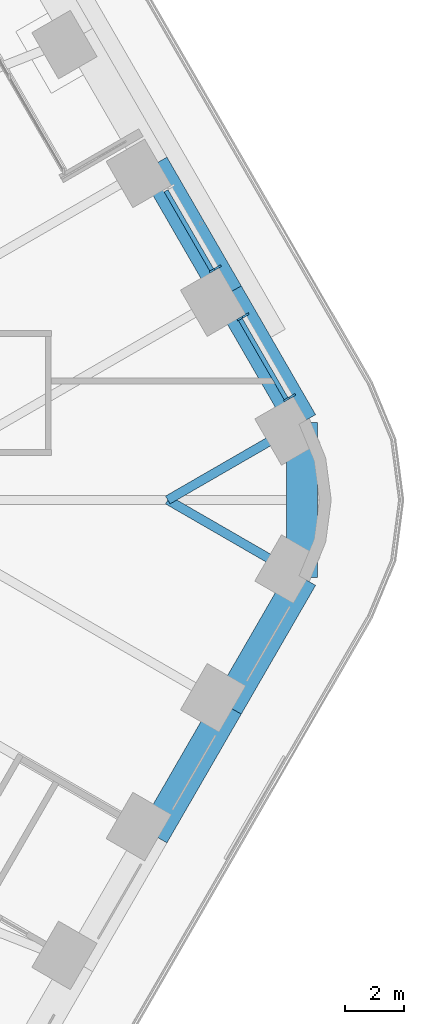
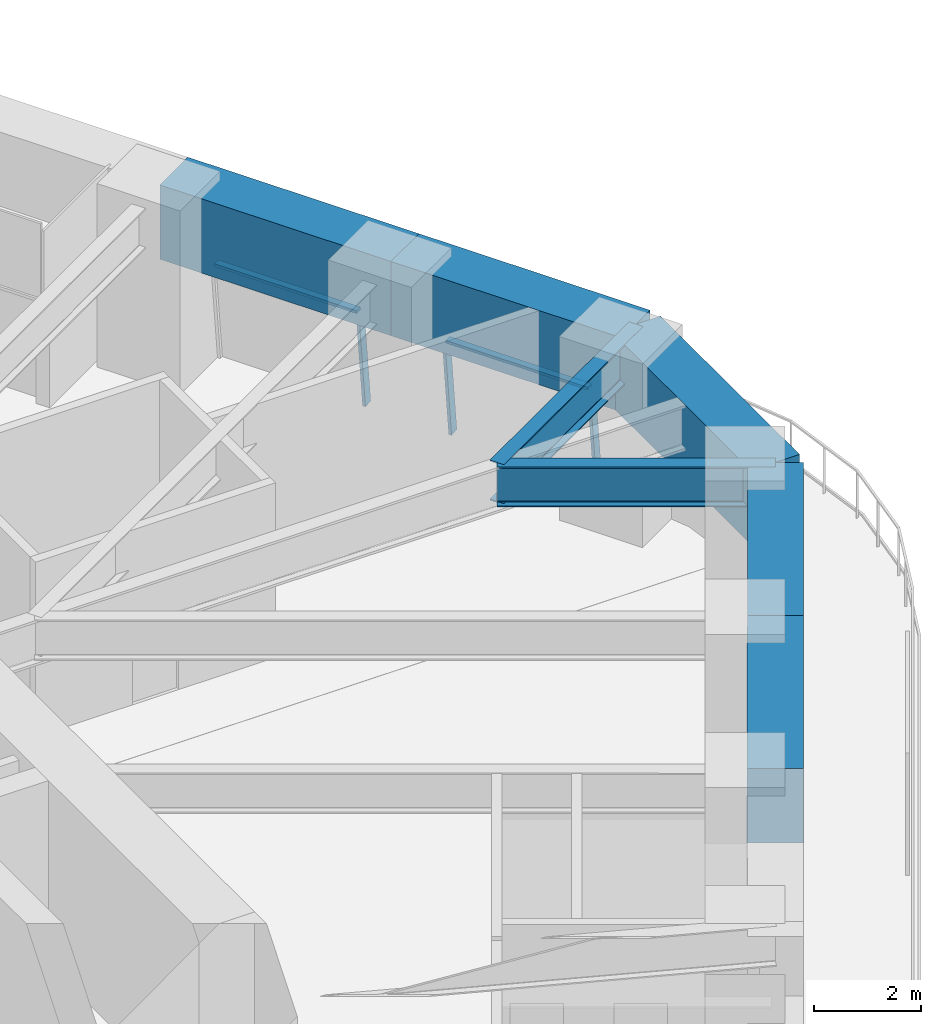
# One storey, part 14 of 24: 7 beams, 5 members, 2 elements without a shape of their own.
"""IFC4 building model written with IfcOpenShell, lengths in metres."""

import ifcopenshell
import ifcopenshell.guid

model = None  # the IFC model being written
_history = None  # IfcOwnerHistory: only IFC2X3 demands one
_inside = {}  # id of a spatial element -> (the spatial element, [elements in it])
_under = {}  # id of a project, library or spatial element -> (it, [spatial elements below it])
_declared = {}  # id of a project -> (the project, [libraries it declares])
_typed = {}  # id of a type object -> (the type object, [elements of that type])
_made_of = {}  # id of a material, layer set ... -> (it, [elements and type objects made of it])


def new_model(schema):
    """Start an empty IFC model of exactly this schema.

    Asked for "IFC4X3", IfcOpenShell would pick the latest addendum, in which some entities
    have other attributes; the version numbers below select the first issue.
    IFC2X3 requires an IfcOwnerHistory on every rooted entity: one is made here for all.
    """
    global model, _history
    if schema == "IFC4X3":
        model = ifcopenshell.file(schema_version=(4, 3, 0, 0))
    else:
        model = ifcopenshell.file(schema=schema)
    _inside.clear()
    _under.clear()
    _declared.clear()
    _typed.clear()
    _made_of.clear()
    _history = None
    if model.schema == "IFC2X3":
        org = make("IfcOrganization", Name="unknown")
        user = make(
            "IfcPersonAndOrganization",
            ThePerson=make("IfcPerson", FamilyName="unknown"),
            TheOrganization=org,
        )
        app = make(
            "IfcApplication",
            ApplicationDeveloper=org,
            Version="unknown",
            ApplicationFullName="unknown",
            ApplicationIdentifier="unknown",
        )
        _history = make(
            "IfcOwnerHistory",
            OwningUser=user,
            OwningApplication=app,
            ChangeAction="ADDED",
            CreationDate=0,
        )
    return model


def make(cls, **values):
    """One entity of the class cls with the attributes given. An attribute that is None is left unset."""
    return model.create_entity(
        cls, **{name: value for name, value in values.items() if value is not None}
    )


def rooted(cls, **values):
    """An entity with a GlobalId (a new one), such as an element, a storey or a relation."""
    return make(cls, GlobalId=ifcopenshell.guid.new(), OwnerHistory=_history, **values)


def si_unit(unit_type, name, prefix=None):
    """IfcSIUnit, for example si_unit("LENGTHUNIT", "METRE", prefix="MILLI")."""
    return make("IfcSIUnit", UnitType=unit_type, Prefix=prefix, Name=name)


def assignment(units):
    """IfcUnitAssignment: the units of a project."""
    return None if units is None else make("IfcUnitAssignment", Units=units)


def point(xyz):
    """IfcCartesianPoint."""
    return None if xyz is None else make("IfcCartesianPoint", Coordinates=xyz)


def direction(xyz):
    """IfcDirection."""
    return None if xyz is None else make("IfcDirection", DirectionRatios=xyz)


def frame(location, z_axis=None, x_axis=None):
    """IfcAxis2Placement3D, a coordinate frame: its origin and axes. An axis left out is left unset."""
    return make(
        "IfcAxis2Placement3D",
        Location=point(location),
        Axis=direction(z_axis),
        RefDirection=direction(x_axis),
    )


def frame_2d(location, x_axis=None):
    """IfcAxis2Placement2D, a coordinate frame in the plane: its origin and x axis."""
    return make(
        "IfcAxis2Placement2D", Location=point(location), RefDirection=direction(x_axis)
    )


def origin():
    """The frame at (0, 0, 0) with its axes left unset."""
    return frame((0.0, 0.0, 0.0))


def origin_2d():
    """The frame at (0, 0) in the plane with its x axis left unset."""
    return frame_2d((0.0, 0.0))


def place(relative_to, where):
    """IfcLocalPlacement: puts the frame where relative to a parent placement (None: the world)."""
    return make(
        "IfcLocalPlacement", PlacementRelTo=relative_to, RelativePlacement=where
    )


def context(
    kind, dimensions, precision=None, world=None, true_north=None, identifier=None
):
    """IfcGeometricRepresentationContext, for example the 3D "Model" context."""
    return make(
        "IfcGeometricRepresentationContext",
        ContextIdentifier=identifier,
        ContextType=kind,
        CoordinateSpaceDimension=dimensions,
        Precision=precision,
        WorldCoordinateSystem=world,
        TrueNorth=true_north,
    )


def subcontext(parent, identifier, kind, view, scale=None):
    """IfcGeometricRepresentationSubContext, for example "Body" below "Model"."""
    return make(
        "IfcGeometricRepresentationSubContext",
        ContextIdentifier=identifier,
        ContextType=kind,
        ParentContext=parent,
        TargetScale=scale,
        TargetView=view,
    )


def project(units=None, contexts=None):
    """IfcProject with its units and contexts."""
    return rooted(
        "IfcProject",
        Name="project",
        RepresentationContexts=contexts,
        UnitsInContext=assignment(units),
    )


def spatial(cls, under=None, at=None, **own):
    """A site, building, storey or space (cls), placed at a placement, below another one or the project."""
    s = rooted(cls, ObjectPlacement=at, **own)
    if under is not None:
        _under.setdefault(under.id(), (under, []))[1].append(s)
    return s


def profile(cls, at=None, kind="AREA", **sizes):
    """A parametric profile (cls). Its sizes go by their IFC names, for example OverallWidth=200.0."""
    return make(cls, ProfileType=kind, Position=at, **sizes)


def rectangle(**sizes):
    """IfcRectangleProfileDef."""
    return profile("IfcRectangleProfileDef", **sizes)


def i_section(**sizes):
    """IfcIShapeProfileDef."""
    return profile("IfcIShapeProfileDef", **sizes)


def extrude(swept, where, along, depth):
    """IfcExtrudedAreaSolid: the profile swept, set in the frame where, extruded along a direction by depth."""
    return make(
        "IfcExtrudedAreaSolid",
        SweptArea=swept,
        Position=where,
        ExtrudedDirection=direction(along),
        Depth=depth,
    )


def shape(context_of_items, identifier, shape_type, items):
    """IfcShapeRepresentation: the items that make up one representation, for example the "Body"."""
    return make(
        "IfcShapeRepresentation",
        ContextOfItems=context_of_items,
        RepresentationIdentifier=identifier,
        RepresentationType=shape_type,
        Items=items,
    )


def material(Name=None, Category=None):
    """IfcMaterial."""
    return make("IfcMaterial", Name=Name, Category=Category)


def material_profile(
    of_material, cross_section, Name=None, Category=None, Priority=None
):
    """IfcMaterialProfile: a cross section and its material."""
    return make(
        "IfcMaterialProfile",
        Name=Name,
        Material=of_material,
        Profile=cross_section,
        Priority=Priority,
        Category=Category,
    )


def profile_set(profiles, Name=None, composite=None):
    """IfcMaterialProfileSet."""
    return make(
        "IfcMaterialProfileSet",
        Name=Name,
        MaterialProfiles=profiles,
        CompositeProfile=composite,
    )


def made_of(thing, what):
    """Note that an element or type object is made of a material, layer set ...; save() writes the relation."""
    if what is not None:
        _made_of.setdefault(what.id(), (what, []))[1].append(thing)
    return thing


def type_object(cls, material=None, **own):
    """A type object (cls), such as IfcWallType, which elements share."""
    return made_of(rooted(cls, **own), material)


def element(
    cls,
    number,
    at=None,
    inside=None,
    cuts=None,
    type_object=None,
    material=None,
    context=None,
    identifier="Body",
    shape_type=None,
    held_by="IfcProductDefinitionShape",
    body=None,
    shapes=None,
    **own,
):
    """One element of the class cls, such as IfcWall. Its Tag is "e" and its number.

    at: its placement. inside: the storey or other place that contains it. cuts: it is an
    opening in that element (IfcRelVoidsElement). A single representation is given by context,
    identifier, shape_type and body (its items); several are given by shapes. held_by: the class
    of the entity that holds the representations. save() writes the other relations.
    """
    e = rooted(cls, Tag="e%d" % number, ObjectPlacement=at, **own)
    if body is not None:
        shapes = [shape(context, identifier, shape_type, body)]
    if shapes is not None:
        e.Representation = make(held_by, Representations=shapes)
    if inside is not None:
        _inside.setdefault(inside.id(), (inside, []))[1].append(e)
    if cuts is not None:
        rooted(
            "IfcRelVoidsElement", RelatingBuildingElement=cuts, RelatedOpeningElement=e
        )
    if type_object is not None:
        _typed.setdefault(type_object.id(), (type_object, []))[1].append(e)
    return made_of(e, material)


def aggregate(whole, parts):
    """IfcRelAggregates: a whole, such as a stair, and the parts it consists of."""
    return rooted("IfcRelAggregates", RelatingObject=whole, RelatedObjects=parts)


def save(model, path):
    """Write the relations noted so far, then the file.

    IfcRelAggregates (storeys below a building ...), IfcRelContainedInSpatialStructure (elements
    in a storey), IfcRelDefinesByType, IfcRelAssociatesMaterial and IfcRelDeclares: one each for
    every whole, place, type object, material and project.
    """
    for whole, parts in _under.values():
        aggregate(whole, parts)
    for where, things in _inside.values():
        rooted(
            "IfcRelContainedInSpatialStructure",
            RelatedElements=things,
            RelatingStructure=where,
        )
    for kind, things in _typed.values():
        rooted("IfcRelDefinesByType", RelatedObjects=things, RelatingType=kind)
    for what, things in _made_of.values():
        rooted("IfcRelAssociatesMaterial", RelatedObjects=things, RelatingMaterial=what)
    for by, libraries in _declared.values():
        rooted("IfcRelDeclares", RelatingContext=by, RelatedDefinitions=libraries)
    model.write(path)


model = new_model("IFC4")

# Units and contexts
model_context = context("Model", 3, precision=1e-05, world=origin(), true_north=direction((0.0, 1.0)))
body_context = subcontext(model_context, "Body", "Model", "MODEL_VIEW")
ifc_project = project(units=[si_unit("LENGTHUNIT", "METRE"), si_unit("AREAUNIT", "SQUARE_METRE"), si_unit("VOLUMEUNIT", "CUBIC_METRE"), si_unit("PLANEANGLEUNIT", "RADIAN"), si_unit("MASSUNIT", "GRAM", prefix="KILO")], contexts=[model_context])

# Site, building, storey
site_placement = place(None, origin())
site = spatial("IfcSite", under=ifc_project, at=site_placement, CompositionType="ELEMENT")
building_placement = place(site_placement, origin())
building = spatial("IfcBuilding", under=site, at=building_placement, Name="Tarfa Lantern Tower", CompositionType="ELEMENT")
storey_placement = place(building_placement, frame((0.0, 0.0, 127.89990234375)))
storey = spatial("IfcBuildingStorey", under=building, at=storey_placement, Name="L28", CompositionType="ELEMENT", Elevation=127.89990234375)

# Curtain wall, members
ifc_material_1 = material(Name="Aluminium framed curtain wall", Category="aluminium")
curtain_wall_type = type_object("IfcCurtainWallType", Name="CW2 CANTED GLAZING MID ZONE 2300", PredefinedType="USERDEFINED", material=ifc_material_1)
curtain_wall_1_placement = place(storey_placement, origin())
curtain_wall_1 = element("IfcCurtainWall", 1, at=curtain_wall_1_placement, inside=storey, type_object=curtain_wall_type, Name="CW2 NE L28", ObjectType="CURTAIN WALL", PredefinedType="USERDEFINED")
ifc_material_2 = material(Name="Aluminium mullion", Category="aluminium")
ifc_material_profile_1 = material_profile(ifc_material_2, rectangle(XDim=0.06494140625, YDim=0.199951171875, at=origin_2d()), Name="AL MULLION 65x200")
ifc_profile_set_1 = profile_set([ifc_material_profile_1], Name="Aluminium mullion")
member_type_1 = type_object("IfcMemberType", Name="CWM1 MULLION 65x200", PredefinedType="MULLION", material=ifc_profile_set_1)
member_1_placement = place(storey_placement, frame((34.232421875, 3.507568359375, 0.0), z_axis=(-0.093495303575, -0.054028888748, 0.994152657991), x_axis=(0.500342721131, -0.865827443207, 0.0)))
member_1 = element("IfcMember", 2, at=member_1_placement, type_object=member_type_1, Name="CW2 mullion 1", PredefinedType="MULLION", context=body_context, shape_type="SweptSolid", body=[
    extrude(rectangle(XDim=0.06494140625, YDim=0.199951171875, at=origin_2d()), origin(), (0.0, 0.0, 1.0), 2.3134765625),
])
member_2_placement = place(storey_placement, frame((32.6630859375, 6.225830078125, 0.0), z_axis=(-0.093599904765, -0.0540283554, 0.994142844183), x_axis=(0.499919672301, -0.866071776036, 0.0)))
member_2 = element("IfcMember", 3, at=member_2_placement, type_object=member_type_1, Name="CW2 mullion 2", PredefinedType="MULLION", context=body_context, shape_type="SweptSolid", body=[
    extrude(rectangle(XDim=0.06494140625, YDim=0.199951171875, at=origin_2d()), origin(), (0.0, 0.0, 1.0), 2.313720703125),
])

# Curtain wall, member
curtain_wall_2_placement = place(storey_placement, origin())
curtain_wall_2 = element("IfcCurtainWall", 4, at=curtain_wall_2_placement, inside=storey, type_object=curtain_wall_type, Name="CW2 NE L28", ObjectType="CURTAIN WALL", PredefinedType="USERDEFINED")
member_3_placement = place(storey_placement, frame((31.730712890625, 7.8408203125, 0.0), z_axis=(-0.093599904765, -0.0540283554, 0.994142844183), x_axis=(0.499919672301, -0.866071776036, 0.0)))
member_3 = element("IfcMember", 5, at=member_3_placement, type_object=member_type_1, Name="CW2 mullion 1", PredefinedType="MULLION", context=body_context, shape_type="SweptSolid", body=[
    extrude(rectangle(XDim=0.06494140625, YDim=0.199951171875, at=origin_2d()), origin(), (0.0, 0.0, 1.0), 2.313720703125),
])

# Member
ifc_material_3 = material(Name="Aluminium transom", Category="aluminium")
ifc_material_profile_2 = material_profile(ifc_material_3, rectangle(XDim=0.14990234375, YDim=0.06494140625, at=origin_2d()), Name="AL TRANSOM 150x65")
ifc_profile_set_2 = profile_set([ifc_material_profile_2], Name="Aluminium transom")
member_type_2 = type_object("IfcMemberType", Name="CWT1 TRANSOM 150x65", PredefinedType="USERDEFINED", material=ifc_profile_set_2)
member_4_placement = place(storey_placement, frame((34.002685546875, 3.41259765625, 2.267578125), z_axis=(-0.499949361699, 0.866054637847, 0.0), x_axis=(-0.866054637847, -0.499949361699, 0.0)))
member_4 = element("IfcMember", 6, at=member_4_placement, type_object=member_type_2, Name="CW2 transom 1.2", ObjectType="TRANSOM", PredefinedType="USERDEFINED", context=body_context, shape_type="SweptSolid", body=[
    extrude(rectangle(XDim=0.14990234375, YDim=0.06494140625, at=origin_2d()), origin(), (0.0, 0.0, 1.0), 3.073486328125),
])

aggregate(curtain_wall_1, [member_1, member_2, member_4])

member_5_placement = place(storey_placement, frame((31.5009765625, 7.745849609375, 2.267578125), z_axis=(-0.500008936691, 0.866020244122, 0.0), x_axis=(-0.866020244122, -0.500008936691, 0.0)))
member_5 = element("IfcMember", 7, at=member_5_placement, type_object=member_type_2, Name="CW2 transom 1.2", ObjectType="TRANSOM", PredefinedType="USERDEFINED", context=body_context, shape_type="SweptSolid", body=[
    extrude(rectangle(XDim=0.14990234375, YDim=0.06494140625, at=origin_2d()), origin(), (0.0, 0.0, 1.0), 3.07373046875),
])

aggregate(curtain_wall_2, [member_3, member_5])

# Beams
ifc_material_4 = material(Name="Concrete C80/95", Category="concrete")
ifc_material_profile_3 = material_profile(ifc_material_4, rectangle(XDim=1.050048828125, YDim=1.699951171875, at=origin_2d()), Name="RC 1050x1700")
ifc_profile_set_3 = profile_set([ifc_material_profile_3], Name="Concrete C80/95")
beam_type_1 = type_object("IfcBeamType", Name="RB2 RC 1050x1700", PredefinedType="BEAM", material=ifc_profile_set_3)
for number, where, z_axis, x_axis, name in (
    (8, (34.54296875, 2.610107421875, 3.150146484375), (-0.500022324899, 0.866012514114, 0.0), (-0.866012514114, -0.500022324899, 0.0), "Edge beam NE0"),
    (9, (32.041015625, 6.943359375, 3.150146484375), (-0.500022324899, 0.866012514114, 0.0), (-0.866012514114, -0.500022324899, 0.0), "Edge beam NE1"),
    (10, (29.5390625, -11.276611328125, 3.150146484375), (0.500022324899, 0.866012514114, 0.0), (-0.866012514114, 0.500022324899, 0.0), "Edge beam SE4"),
    (11, (32.041015625, -6.943359375, 3.150146484375), (0.500022324899, 0.866012514114, 0.0), (-0.866012514114, 0.500022324899, 0.0), "Edge beam SE5"),
):
    element("IfcBeam", number, at=place(storey_placement, frame(where, z_axis=z_axis, x_axis=x_axis)), inside=storey, type_object=beam_type_1, Name=name, PredefinedType="BEAM", context=body_context, shape_type="SweptSolid", body=[
        extrude(rectangle(XDim=1.050048828125, YDim=1.699951171875, at=origin_2d()), origin(), (0.0, 0.0, 1.0), 5.003662109375),
    ])
beam_placement = place(storey_placement, frame((34.54296875, -2.610107421875, 3.150146484375), z_axis=(0.0, 1.0, 0.0), x_axis=(-1.0, 0.0, 0.0)))
element("IfcBeam", 12, at=beam_placement, inside=storey, type_object=beam_type_1, Name="Edge beam SE6", PredefinedType="BEAM", context=body_context, shape_type="SweptSolid", body=[
    extrude(rectangle(XDim=1.050048828125, YDim=1.699951171875, at=origin_2d()), origin(), (0.0, 0.0, 1.0), 5.22021484375),
])
ifc_material_5 = material(Name="Steel S460M", Category="steel")
ifc_material_profile_4 = material_profile(ifc_material_5, i_section(OverallWidth=0.305419921875, OverallDepth=0.91845703125, WebThickness=0.017333984375, FlangeThickness=0.02783203125, FilletRadius=0.01904296875, at=origin_2d()), Name="UB914x305x253")
ifc_profile_set_4 = profile_set([ifc_material_profile_4], Name="Steel S460M")
beam_type_2 = type_object("IfcBeamType", Name="UB914x305x253", PredefinedType="BEAM", material=ifc_profile_set_4)
for number, where, z_axis, x_axis, name in (
    (13, (34.54296875, 2.610107421875, 3.541015625), (-0.866021250859, -0.500007193008, 0.0), (0.500007193008, -0.866021250859, 0.0), "Floor beam NE0"),
    (14, (34.54296875, -2.610107421875, 3.541015625), (-0.866021250859, 0.500007193008, 0.0), (-0.500007193008, -0.866021250859, 0.0), "Floor beam SE6"),
):
    element("IfcBeam", number, at=place(storey_placement, frame(where, z_axis=z_axis, x_axis=x_axis)), inside=storey, type_object=beam_type_2, Name=name, PredefinedType="BEAM", context=body_context, shape_type="SweptSolid", body=[
        extrude(i_section(OverallWidth=0.305419921875, OverallDepth=0.91845703125, WebThickness=0.017333984375, FlangeThickness=0.02783203125, FilletRadius=0.01904296875, at=origin_2d()), origin(), (0.0, 0.0, 1.0), 5.22021484375),
    ])

save(model, "model.ifc")
